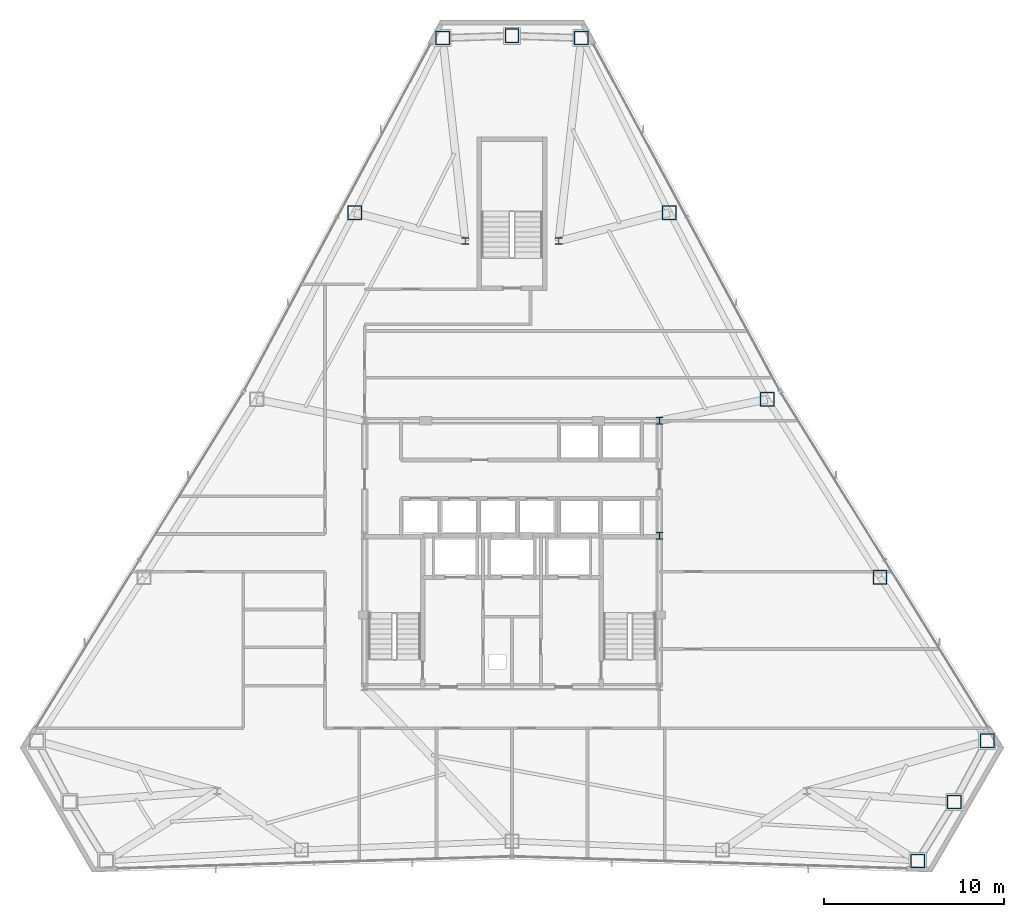
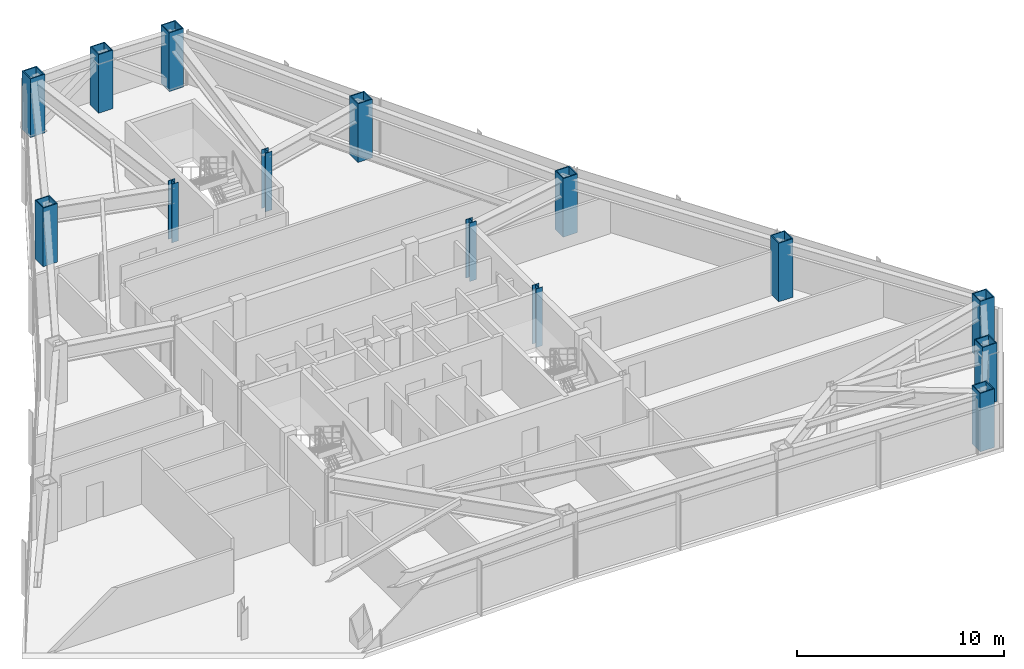
# One storey, part 2 of 13: 14 columns.
"""IFC4 building model written with IfcOpenShell, lengths in metres."""

from ifc_helpers import new_model, si_unit, direction, frame, origin, origin_2d, place, context, subcontext, project, spatial, hollow_rectangle, i_section, extrude, material, material_profile, profile_set, type_object, element, save


model = new_model("IFC4")

# Units and contexts
model_context = context("Model", 3, precision=1e-05, world=origin(), true_north=direction((0.0, 1.0)))
body_context = subcontext(model_context, "Body", "Model", "MODEL_VIEW")
ifc_project = project(units=[si_unit("LENGTHUNIT", "METRE"), si_unit("AREAUNIT", "SQUARE_METRE"), si_unit("VOLUMEUNIT", "CUBIC_METRE"), si_unit("PLANEANGLEUNIT", "RADIAN"), si_unit("MASSUNIT", "GRAM", prefix="KILO")], contexts=[model_context])

# Site, building, storey
site_placement = place(None, origin())
site = spatial("IfcSite", under=ifc_project, at=site_placement, CompositionType="ELEMENT")
building_placement = place(site_placement, origin())
building = spatial("IfcBuilding", under=site, at=building_placement, Name="Varakhsha Concourse Tower", CompositionType="ELEMENT")
storey_placement = place(building_placement, frame((0.0, 0.0, 162.0)))
storey = spatial("IfcBuildingStorey", under=building, at=storey_placement, Name="L46", CompositionType="ELEMENT", Elevation=162.0)

# Columns
ifc_material_1 = material(Name="Structural Steel ASTM A992 Grade 50", Category="steel")
ifc_material_profile_1 = material_profile(ifc_material_1, i_section(OverallWidth=0.3740234375, OverallDepth=0.3720703125, WebThickness=0.01611328125, FlangeThickness=0.02587890625, at=origin_2d()), Name="W14X132")
ifc_profile_set_1 = profile_set([ifc_material_profile_1], Name="Structural Steel ASTM A992 Grade 50")
column_type_1 = type_object("IfcColumnType", Name="CL-CORE-W14X132", PredefinedType="COLUMN", material=ifc_profile_set_1)
for number, where, z_axis, x_axis, name in (
    (1, (48.199951171875, 24.800048828125, 0.0), (0.0, 0.0, 1.0), (1.0, 0.0, 0.0), "L46 Core Column CC-ME"),
    (2, (48.199951171875, 31.199951171875, 0.0), (0.0, 0.0, 1.0), (1.0, 0.0, 0.0), "L46 Core Column CC-NE"),
    (3, (37.39990234375, 41.199951171875, 0.0), (0.0, 0.0, 1.0), (1.0, 0.0, 0.0), "L46 Core Column NS-W"),
    (4, (42.60009765625, 41.199951171875, 0.0), (0.0, 0.0, 1.0), (1.0, 0.0, 0.0), "L46 Core Column NS-E"),
):
    element("IfcColumn", number, at=place(storey_placement, frame(where, z_axis=z_axis, x_axis=x_axis)), inside=storey, type_object=column_type_1, Name=name, PredefinedType="COLUMN", context=body_context, shape_type="SweptSolid", body=[
        extrude(i_section(OverallWidth=0.3740234375, OverallDepth=0.3720703125, WebThickness=0.01611328125, FlangeThickness=0.02587890625, at=origin_2d()), origin(), (0.0, 0.0, 1.0), 3.449951171875),
    ])
ifc_material_2 = material(Name="Structural Steel ASTM A572 Grade 50", Category="steel")
ifc_material_profile_2 = material_profile(ifc_material_2, hollow_rectangle(XDim=0.800048828125, YDim=0.800048828125, WallThickness=0.054931640625, at=origin_2d()), Name="BOX 800x800x55")
ifc_profile_set_2 = profile_set([ifc_material_profile_2], Name="Structural Steel ASTM A572 Grade 50")
column_type_2 = type_object("IfcColumnType", Name="CL-TUBE-800", PredefinedType="COLUMN", material=ifc_profile_set_2)
for number, where, z_axis, x_axis, name in (
    (5, (43.863037109375, 52.495849609375, 0.0), (0.0, 0.0, 1.0), (1.0, 0.0, 0.0), "L46 Framed-Tube Column TC01"),
    (6, (40.0, 52.618408203125, 0.0), (0.0, 0.0, 1.0), (1.0, 0.0, 0.0), "L46 Framed-Tube Column TC02"),
    (7, (36.136962890625, 52.495849609375, 0.0), (0.0, 0.0, 1.0), (1.0, 0.0, 0.0), "L46 Framed-Tube Column TC03"),
    (8, (31.240966796875, 42.78271484375, 0.0), (0.0, 0.0, 1.0), (1.0, 0.0, 0.0), "L46 Framed-Tube Column TC04"),
    (9, (62.5732421875, 6.70654296875, 0.0), (0.0, 0.0, 1.0), (1.0, 0.0, 0.0), "L46 Framed-Tube Column TC13"),
    (10, (64.611083984375, 9.99072265625, 0.0), (0.0, 0.0, 1.0), (1.0, 0.0, 0.0), "L46 Framed-Tube Column TC14"),
    (11, (66.436279296875, 13.397705078125, 0.0), (0.0, 0.0, 1.0), (1.0, 0.0, 0.0), "L46 Framed-Tube Column TC15"),
    (12, (60.47265625, 22.494384765625, 0.0), (0.0, 0.0, 1.0), (1.0, 0.0, 0.0), "L46 Framed-Tube Column TC16"),
    (13, (54.192138671875, 32.393798828125, 0.0), (0.0, 0.0, 1.0), (1.0, 0.0, 0.0), "L46 Framed-Tube Column TC17"),
    (14, (48.759033203125, 42.78271484375, 0.0), (0.0, 0.0, 1.0), (1.0, 0.0, 0.0), "L46 Framed-Tube Column TC18"),
):
    element("IfcColumn", number, at=place(storey_placement, frame(where, z_axis=z_axis, x_axis=x_axis)), inside=storey, type_object=column_type_2, Name=name, PredefinedType="COLUMN", context=body_context, shape_type="SweptSolid", body=[
        extrude(hollow_rectangle(XDim=0.800048828125, YDim=0.800048828125, WallThickness=0.054931640625, at=origin_2d()), origin(), (0.0, 0.0, 1.0), 3.449951171875),
    ])

save(model, "model.ifc")
